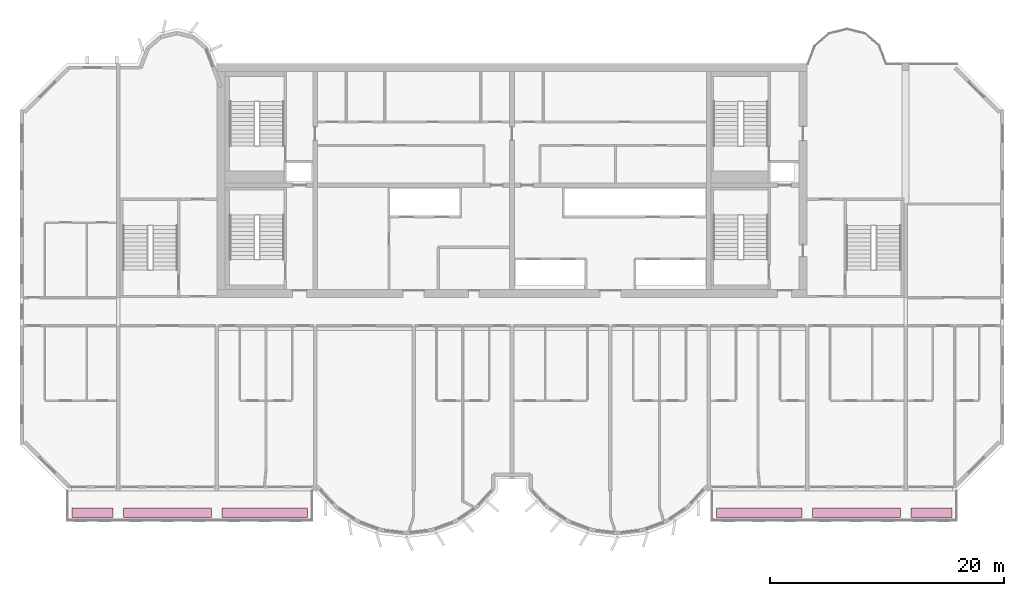
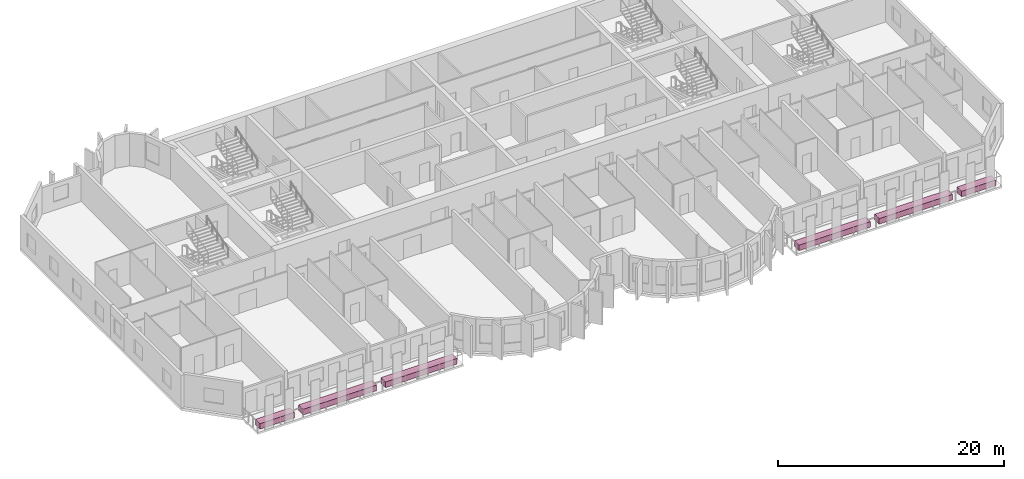
# One storey, part 13 of 13: 6 furniture elements.
"""IFC4 building model written with IfcOpenShell, lengths in metres."""

from ifc_helpers import new_model, si_unit, direction, frame, origin, origin_2d, place, context, subcontext, project, spatial, rectangle, extrude, source, transform, mapped, material, type_object, element, save


model = new_model("IFC4")

# Units and contexts
model_context = context("Model", 3, precision=1e-05, world=origin(), true_north=direction((0.0, 1.0)))
body_context = subcontext(model_context, "Body", "Model", "MODEL_VIEW")
ifc_project = project(units=[si_unit("LENGTHUNIT", "METRE"), si_unit("AREAUNIT", "SQUARE_METRE"), si_unit("VOLUMEUNIT", "CUBIC_METRE"), si_unit("PLANEANGLEUNIT", "RADIAN"), si_unit("MASSUNIT", "GRAM", prefix="KILO")], contexts=[model_context])

# Site, building, storey
site_placement = place(None, origin())
site = spatial("IfcSite", under=ifc_project, at=site_placement, CompositionType="ELEMENT")
building_placement = place(site_placement, origin())
building = spatial("IfcBuilding", under=site, at=building_placement, Name="Vanashikhar Sky Hotel", CompositionType="ELEMENT")
storey_placement = place(building_placement, frame((0.0, 0.0, 155.39990234375)))
storey = spatial("IfcBuildingStorey", under=building, at=storey_placement, Name="L37", CompositionType="ELEMENT", Elevation=155.39990234375)

# Furniture
ifc_material = material(Name="Planting soil and shrubs")
furniture_type = type_object("IfcFurnitureType", Name="Planter trough", AssemblyPlace="NOTDEFINED", PredefinedType="USERDEFINED", material=ifc_material)
shared_shape_1 = source(origin(), body_context, "Body", "SweptSolid", [
    extrude(rectangle(XDim=3.5, YDim=0.800048828125, at=origin_2d()), origin(), (0.0, 0.0, 1.0), 0.60009765625),
])
for number, where, z_axis, x_axis, name in (
    (1, (14.60009765625, 3.64990234375, -0.050048828125), (0.0, 0.0, 1.0), (1.0, 0.0, 0.0), "PLANTER with climbers"),
    (2, (86.199951171875, 3.64990234375, -0.050048828125), (0.0, 0.0, 1.0), (1.0, 0.0, 0.0), "PLANTER with climbers"),
):
    element("IfcFurniture", number, at=place(storey_placement, frame(where, z_axis=z_axis, x_axis=x_axis)), inside=storey, type_object=furniture_type, Name=name, ObjectType="PLANTER", PredefinedType="USERDEFINED", context=body_context, shape_type="MappedRepresentation", body=[
        mapped(shared_shape_1, transform((0.0, 0.0, 0.0), scale=1.0)),
    ])
shared_shape_2 = source(origin(), body_context, "Body", "SweptSolid", [
    extrude(rectangle(XDim=7.5, YDim=0.800048828125, at=origin_2d()), origin(), (0.0, 0.0, 1.0), 0.60009765625),
])
for number, where, z_axis, x_axis, name in (
    (3, (21.0, 3.64990234375, -0.050048828125), (0.0, 0.0, 1.0), (1.0, 0.0, 0.0), "PLANTER with climbers"),
    (4, (79.800048828125, 3.64990234375, -0.050048828125), (0.0, 0.0, 1.0), (1.0, 0.0, 0.0), "PLANTER with climbers"),
):
    element("IfcFurniture", number, at=place(storey_placement, frame(where, z_axis=z_axis, x_axis=x_axis)), inside=storey, type_object=furniture_type, Name=name, ObjectType="PLANTER", PredefinedType="USERDEFINED", context=body_context, shape_type="MappedRepresentation", body=[
        mapped(shared_shape_2, transform((0.0, 0.0, 0.0), scale=1.0)),
    ])
shared_shape_3 = source(origin(), body_context, "Body", "SweptSolid", [
    extrude(rectangle(XDim=7.300048828125, YDim=0.800048828125, at=origin_2d()), origin(), (0.0, 0.0, 1.0), 0.60009765625),
])
for number, where, z_axis, x_axis, name in (
    (5, (29.300048828125, 3.64990234375, -0.050048828125), (0.0, 0.0, 1.0), (1.0, 0.0, 0.0), "PLANTER with climbers"),
    (6, (71.5, 3.64990234375, -0.050048828125), (0.0, 0.0, 1.0), (1.0, 0.0, 0.0), "PLANTER with climbers"),
):
    element("IfcFurniture", number, at=place(storey_placement, frame(where, z_axis=z_axis, x_axis=x_axis)), inside=storey, type_object=furniture_type, Name=name, ObjectType="PLANTER", PredefinedType="USERDEFINED", context=body_context, shape_type="MappedRepresentation", body=[
        mapped(shared_shape_3, transform((0.0, 0.0, 0.0), scale=1.0)),
    ])

save(model, "model.ifc")
